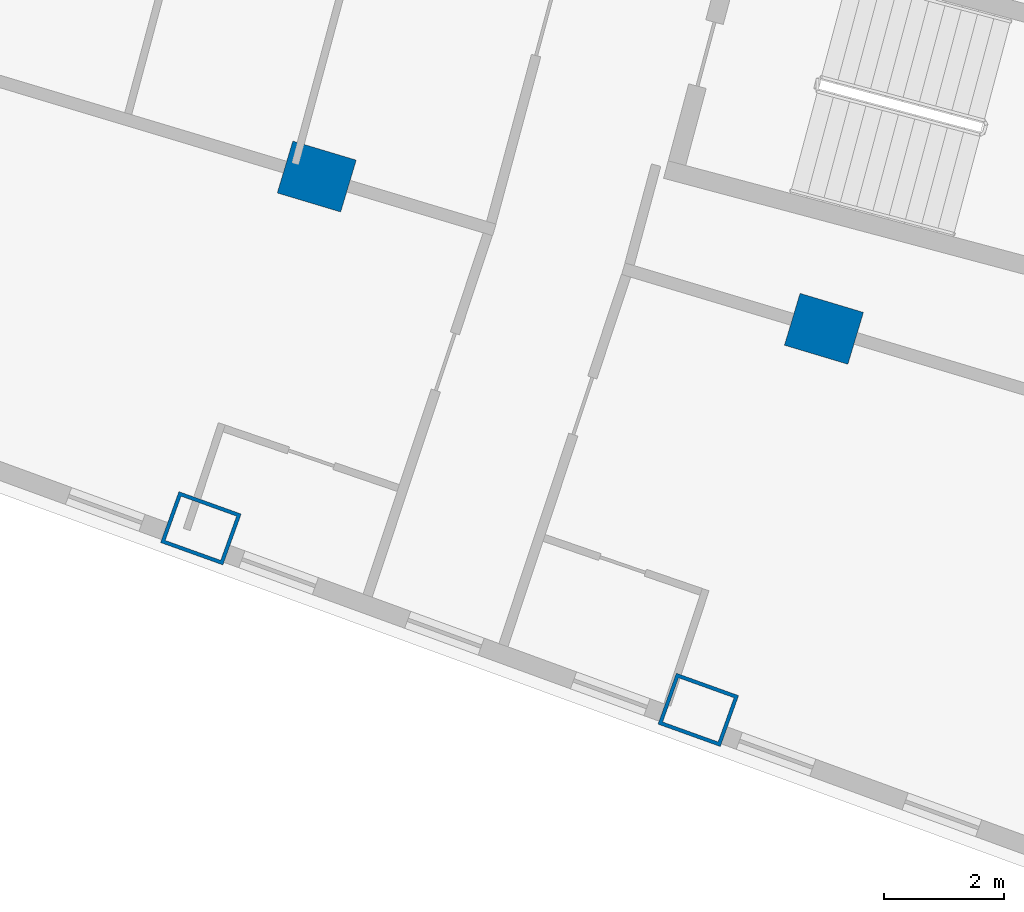
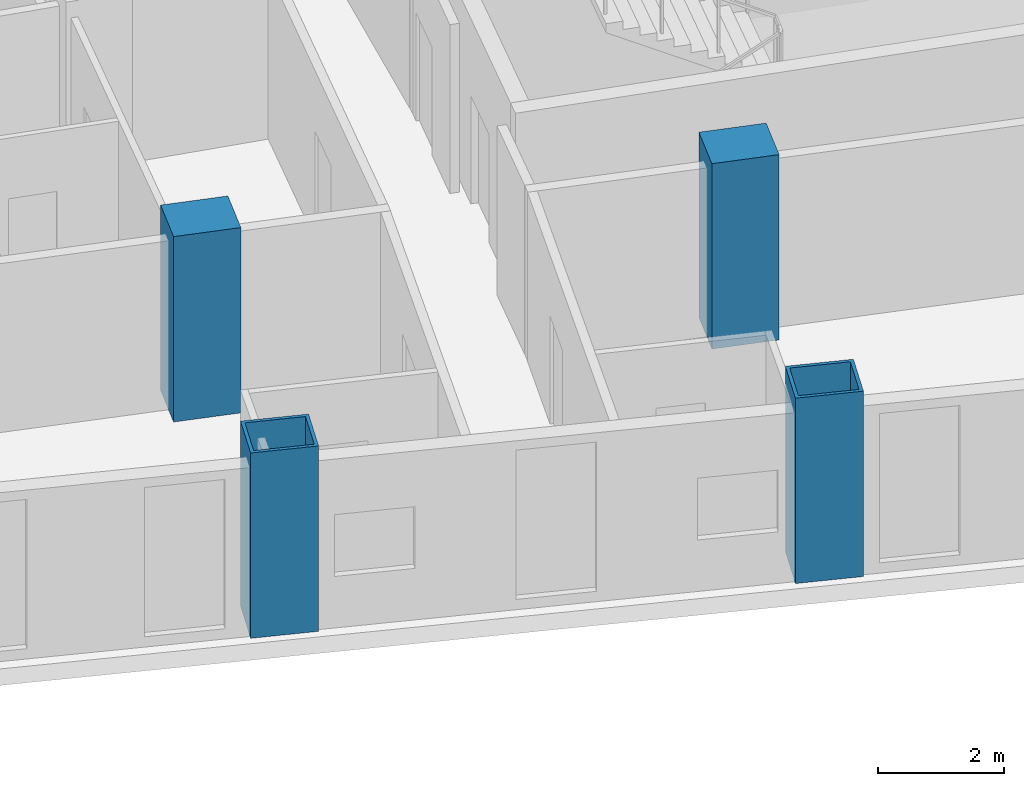
# One storey, part 2 of 25: 4 columns.
"""IFC4 building model written with IfcOpenShell, lengths in metres."""

import ifcopenshell
import ifcopenshell.guid

model = None  # the IFC model being written
_history = None  # IfcOwnerHistory: only IFC2X3 demands one
_inside = {}  # id of a spatial element -> (the spatial element, [elements in it])
_under = {}  # id of a project, library or spatial element -> (it, [spatial elements below it])
_declared = {}  # id of a project -> (the project, [libraries it declares])
_typed = {}  # id of a type object -> (the type object, [elements of that type])
_made_of = {}  # id of a material, layer set ... -> (it, [elements and type objects made of it])


def new_model(schema):
    """Start an empty IFC model of exactly this schema.

    Asked for "IFC4X3", IfcOpenShell would pick the latest addendum, in which some entities
    have other attributes; the version numbers below select the first issue.
    IFC2X3 requires an IfcOwnerHistory on every rooted entity: one is made here for all.
    """
    global model, _history
    if schema == "IFC4X3":
        model = ifcopenshell.file(schema_version=(4, 3, 0, 0))
    else:
        model = ifcopenshell.file(schema=schema)
    _inside.clear()
    _under.clear()
    _declared.clear()
    _typed.clear()
    _made_of.clear()
    _history = None
    if model.schema == "IFC2X3":
        org = make("IfcOrganization", Name="unknown")
        user = make(
            "IfcPersonAndOrganization",
            ThePerson=make("IfcPerson", FamilyName="unknown"),
            TheOrganization=org,
        )
        app = make(
            "IfcApplication",
            ApplicationDeveloper=org,
            Version="unknown",
            ApplicationFullName="unknown",
            ApplicationIdentifier="unknown",
        )
        _history = make(
            "IfcOwnerHistory",
            OwningUser=user,
            OwningApplication=app,
            ChangeAction="ADDED",
            CreationDate=0,
        )
    return model


def make(cls, **values):
    """One entity of the class cls with the attributes given. An attribute that is None is left unset."""
    return model.create_entity(
        cls, **{name: value for name, value in values.items() if value is not None}
    )


def rooted(cls, **values):
    """An entity with a GlobalId (a new one), such as an element, a storey or a relation."""
    return make(cls, GlobalId=ifcopenshell.guid.new(), OwnerHistory=_history, **values)


def si_unit(unit_type, name, prefix=None):
    """IfcSIUnit, for example si_unit("LENGTHUNIT", "METRE", prefix="MILLI")."""
    return make("IfcSIUnit", UnitType=unit_type, Prefix=prefix, Name=name)


def assignment(units):
    """IfcUnitAssignment: the units of a project."""
    return None if units is None else make("IfcUnitAssignment", Units=units)


def point(xyz):
    """IfcCartesianPoint."""
    return None if xyz is None else make("IfcCartesianPoint", Coordinates=xyz)


def direction(xyz):
    """IfcDirection."""
    return None if xyz is None else make("IfcDirection", DirectionRatios=xyz)


def frame(location, z_axis=None, x_axis=None):
    """IfcAxis2Placement3D, a coordinate frame: its origin and axes. An axis left out is left unset."""
    return make(
        "IfcAxis2Placement3D",
        Location=point(location),
        Axis=direction(z_axis),
        RefDirection=direction(x_axis),
    )


def frame_2d(location, x_axis=None):
    """IfcAxis2Placement2D, a coordinate frame in the plane: its origin and x axis."""
    return make(
        "IfcAxis2Placement2D", Location=point(location), RefDirection=direction(x_axis)
    )


def origin():
    """The frame at (0, 0, 0) with its axes left unset."""
    return frame((0.0, 0.0, 0.0))


def origin_2d():
    """The frame at (0, 0) in the plane with its x axis left unset."""
    return frame_2d((0.0, 0.0))


def place(relative_to, where):
    """IfcLocalPlacement: puts the frame where relative to a parent placement (None: the world)."""
    return make(
        "IfcLocalPlacement", PlacementRelTo=relative_to, RelativePlacement=where
    )


def context(
    kind, dimensions, precision=None, world=None, true_north=None, identifier=None
):
    """IfcGeometricRepresentationContext, for example the 3D "Model" context."""
    return make(
        "IfcGeometricRepresentationContext",
        ContextIdentifier=identifier,
        ContextType=kind,
        CoordinateSpaceDimension=dimensions,
        Precision=precision,
        WorldCoordinateSystem=world,
        TrueNorth=true_north,
    )


def subcontext(parent, identifier, kind, view, scale=None):
    """IfcGeometricRepresentationSubContext, for example "Body" below "Model"."""
    return make(
        "IfcGeometricRepresentationSubContext",
        ContextIdentifier=identifier,
        ContextType=kind,
        ParentContext=parent,
        TargetScale=scale,
        TargetView=view,
    )


def project(units=None, contexts=None):
    """IfcProject with its units and contexts."""
    return rooted(
        "IfcProject",
        Name="project",
        RepresentationContexts=contexts,
        UnitsInContext=assignment(units),
    )


def spatial(cls, under=None, at=None, **own):
    """A site, building, storey or space (cls), placed at a placement, below another one or the project."""
    s = rooted(cls, ObjectPlacement=at, **own)
    if under is not None:
        _under.setdefault(under.id(), (under, []))[1].append(s)
    return s


def profile(cls, at=None, kind="AREA", **sizes):
    """A parametric profile (cls). Its sizes go by their IFC names, for example OverallWidth=200.0."""
    return make(cls, ProfileType=kind, Position=at, **sizes)


def rectangle(**sizes):
    """IfcRectangleProfileDef."""
    return profile("IfcRectangleProfileDef", **sizes)


def hollow_rectangle(**sizes):
    """IfcRectangleHollowProfileDef."""
    return profile("IfcRectangleHollowProfileDef", **sizes)


def extrude(swept, where, along, depth):
    """IfcExtrudedAreaSolid: the profile swept, set in the frame where, extruded along a direction by depth."""
    return make(
        "IfcExtrudedAreaSolid",
        SweptArea=swept,
        Position=where,
        ExtrudedDirection=direction(along),
        Depth=depth,
    )


def shape(context_of_items, identifier, shape_type, items):
    """IfcShapeRepresentation: the items that make up one representation, for example the "Body"."""
    return make(
        "IfcShapeRepresentation",
        ContextOfItems=context_of_items,
        RepresentationIdentifier=identifier,
        RepresentationType=shape_type,
        Items=items,
    )


def material(Name=None, Category=None):
    """IfcMaterial."""
    return make("IfcMaterial", Name=Name, Category=Category)


def material_profile(
    of_material, cross_section, Name=None, Category=None, Priority=None
):
    """IfcMaterialProfile: a cross section and its material."""
    return make(
        "IfcMaterialProfile",
        Name=Name,
        Material=of_material,
        Profile=cross_section,
        Priority=Priority,
        Category=Category,
    )


def profile_set(profiles, Name=None, composite=None):
    """IfcMaterialProfileSet."""
    return make(
        "IfcMaterialProfileSet",
        Name=Name,
        MaterialProfiles=profiles,
        CompositeProfile=composite,
    )


def made_of(thing, what):
    """Note that an element or type object is made of a material, layer set ...; save() writes the relation."""
    if what is not None:
        _made_of.setdefault(what.id(), (what, []))[1].append(thing)
    return thing


def type_object(cls, material=None, **own):
    """A type object (cls), such as IfcWallType, which elements share."""
    return made_of(rooted(cls, **own), material)


def element(
    cls,
    number,
    at=None,
    inside=None,
    cuts=None,
    type_object=None,
    material=None,
    context=None,
    identifier="Body",
    shape_type=None,
    held_by="IfcProductDefinitionShape",
    body=None,
    shapes=None,
    **own,
):
    """One element of the class cls, such as IfcWall. Its Tag is "e" and its number.

    at: its placement. inside: the storey or other place that contains it. cuts: it is an
    opening in that element (IfcRelVoidsElement). A single representation is given by context,
    identifier, shape_type and body (its items); several are given by shapes. held_by: the class
    of the entity that holds the representations. save() writes the other relations.
    """
    e = rooted(cls, Tag="e%d" % number, ObjectPlacement=at, **own)
    if body is not None:
        shapes = [shape(context, identifier, shape_type, body)]
    if shapes is not None:
        e.Representation = make(held_by, Representations=shapes)
    if inside is not None:
        _inside.setdefault(inside.id(), (inside, []))[1].append(e)
    if cuts is not None:
        rooted(
            "IfcRelVoidsElement", RelatingBuildingElement=cuts, RelatedOpeningElement=e
        )
    if type_object is not None:
        _typed.setdefault(type_object.id(), (type_object, []))[1].append(e)
    return made_of(e, material)


def aggregate(whole, parts):
    """IfcRelAggregates: a whole, such as a stair, and the parts it consists of."""
    return rooted("IfcRelAggregates", RelatingObject=whole, RelatedObjects=parts)


def save(model, path):
    """Write the relations noted so far, then the file.

    IfcRelAggregates (storeys below a building ...), IfcRelContainedInSpatialStructure (elements
    in a storey), IfcRelDefinesByType, IfcRelAssociatesMaterial and IfcRelDeclares: one each for
    every whole, place, type object, material and project.
    """
    for whole, parts in _under.values():
        aggregate(whole, parts)
    for where, things in _inside.values():
        rooted(
            "IfcRelContainedInSpatialStructure",
            RelatedElements=things,
            RelatingStructure=where,
        )
    for kind, things in _typed.values():
        rooted("IfcRelDefinesByType", RelatedObjects=things, RelatingType=kind)
    for what, things in _made_of.values():
        rooted("IfcRelAssociatesMaterial", RelatedObjects=things, RelatingMaterial=what)
    for by, libraries in _declared.values():
        rooted("IfcRelDeclares", RelatingContext=by, RelatedDefinitions=libraries)
    model.write(path)


model = new_model("IFC4")

# Units and contexts
model_context = context("Model", 3, precision=1e-05, world=origin(), true_north=direction((0.0, 1.0)))
body_context = subcontext(model_context, "Body", "Model", "MODEL_VIEW")
ifc_project = project(units=[si_unit("LENGTHUNIT", "METRE"), si_unit("AREAUNIT", "SQUARE_METRE"), si_unit("VOLUMEUNIT", "CUBIC_METRE"), si_unit("PLANEANGLEUNIT", "RADIAN"), si_unit("MASSUNIT", "GRAM", prefix="KILO")], contexts=[model_context])

# Site, building, storey
site_placement = place(None, origin())
site = spatial("IfcSite", under=ifc_project, at=site_placement, CompositionType="ELEMENT")
building_placement = place(site_placement, origin())
building = spatial("IfcBuilding", under=site, at=building_placement, Name="Alderwake Tower", CompositionType="ELEMENT")
storey_placement = place(building_placement, frame((0.0, 0.0, 68.0)))
storey = spatial("IfcBuildingStorey", under=building, at=storey_placement, Name="L16", CompositionType="ELEMENT", Elevation=68.0)

# Columns
ifc_material_1 = material(Name="Steel ASTM A572 Grade 50 concrete filled C70/85", Category="concrete")
ifc_material_profile_1 = material_profile(ifc_material_1, hollow_rectangle(XDim=0.89990234375, YDim=1.10009765625, WallThickness=0.06005859375, at=origin_2d()), Name="BOX 1100X900X60")
ifc_profile_set_1 = profile_set([ifc_material_profile_1], Name="Steel ASTM A572 Grade 50 concrete filled C70/85")
column_type_1 = type_object("IfcColumnType", Name="End column Z1", PredefinedType="COLUMN", material=ifc_profile_set_1)
for number, where, z_axis, x_axis, name in (
    (1, (28.983642578125, 21.856689453125, 0.0), (0.0, 0.0, 1.0), (0.338026774049, 0.941136493834, 0.0), "Column R01-C2"),
    (2, (37.250244140625, 18.839111328125, 0.0), (0.0, 0.0, 1.0), (0.3383700535, 0.941013127907, 0.0), "Column R01-C3"),
):
    element("IfcColumn", number, at=place(storey_placement, frame(where, z_axis=z_axis, x_axis=x_axis)), inside=storey, type_object=column_type_1, Name=name, PredefinedType="COLUMN", context=body_context, shape_type="SweptSolid", body=[
        extrude(hollow_rectangle(XDim=0.89990234375, YDim=1.10009765625, WallThickness=0.06005859375, at=origin_2d()), origin(), (0.0, 0.0, 1.0), 3.60009765625),
    ])
ifc_material_2 = material(Name="Concrete C70/85", Category="concrete")
ifc_material_profile_2 = material_profile(ifc_material_2, rectangle(XDim=0.89990234375, YDim=1.10009765625, at=origin_2d()), Name="RC 1100X900")
ifc_profile_set_2 = profile_set([ifc_material_profile_2], Name="Concrete C70/85")
column_type_2 = type_object("IfcColumnType", Name="Interior column Z1", PredefinedType="COLUMN", material=ifc_profile_set_2)
for number, where, z_axis, x_axis, name in (
    (3, (30.9091796875, 27.701904296875, 0.0), (0.0, 0.0, 1.0), (0.287549418125, 0.957765802342, 0.0), "Column R02-C2"),
    (4, (39.337646484375, 25.17138671875, 0.0), (0.0, 0.0, 1.0), (0.287549418125, 0.957765802342, 0.0), "Column R02-C3"),
):
    element("IfcColumn", number, at=place(storey_placement, frame(where, z_axis=z_axis, x_axis=x_axis)), inside=storey, type_object=column_type_2, Name=name, PredefinedType="COLUMN", context=body_context, shape_type="SweptSolid", body=[
        extrude(rectangle(XDim=0.89990234375, YDim=1.10009765625, at=origin_2d()), origin(), (0.0, 0.0, 1.0), 3.60009765625),
    ])

save(model, "model.ifc")
